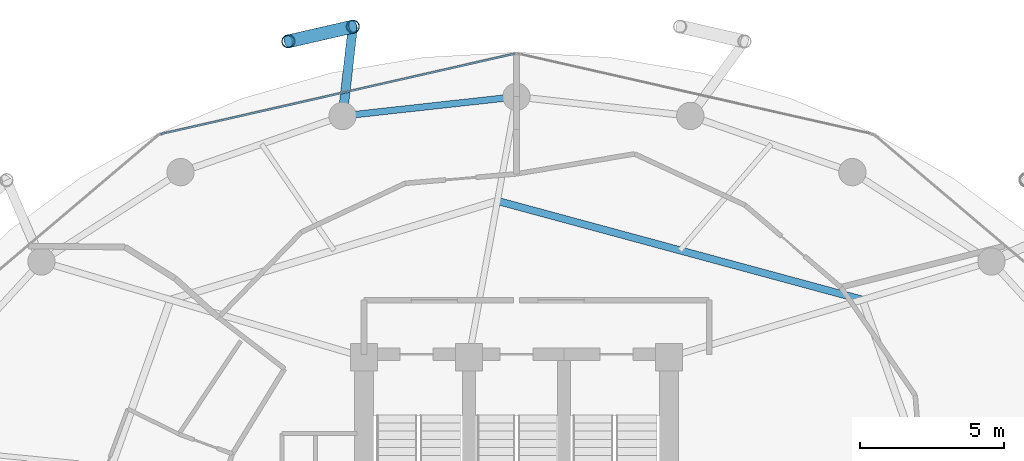
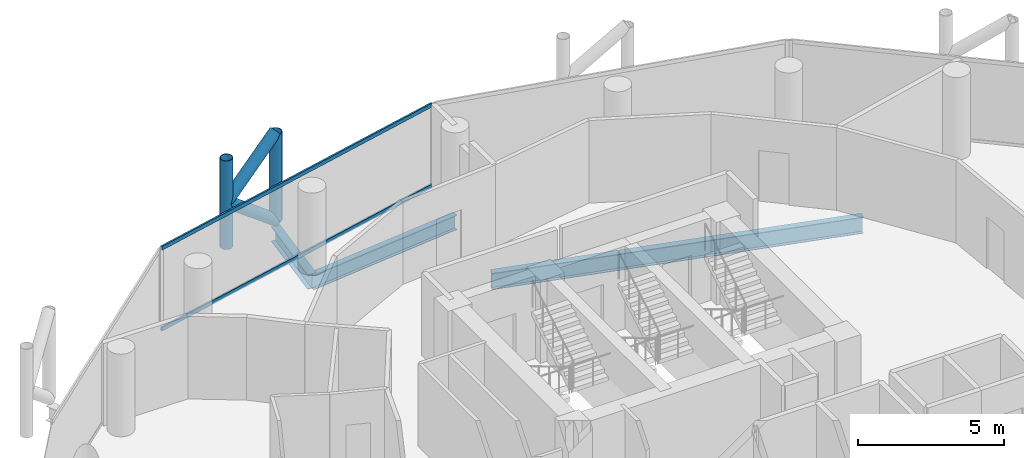
# One storey, part 16 of 26: 6 members, 3 beams, 1 element without a shape of its own.
"""IFC4 building model written with IfcOpenShell, lengths in metres."""

from ifc_helpers import new_model, si_unit, direction, frame, origin, origin_2d, place, context, subcontext, project, spatial, hollow_rectangle, hollow_circle, i_section, extrude, material, layer, layer_set, material_profile, profile_set, type_object, element, aggregate, save


model = new_model("IFC4")

# Units and contexts
model_context = context("Model", 3, precision=1e-05, world=origin(), true_north=direction((0.0, 1.0)))
body_context = subcontext(model_context, "Body", "Model", "MODEL_VIEW")
ifc_project = project(units=[si_unit("LENGTHUNIT", "METRE"), si_unit("AREAUNIT", "SQUARE_METRE"), si_unit("VOLUMEUNIT", "CUBIC_METRE"), si_unit("PLANEANGLEUNIT", "RADIAN"), si_unit("MASSUNIT", "GRAM", prefix="KILO")], contexts=[model_context])

# Site, building, storey
site_placement = place(None, origin())
site = spatial("IfcSite", under=ifc_project, at=site_placement, CompositionType="ELEMENT")
building_placement = place(site_placement, origin())
building = spatial("IfcBuilding", under=site, at=building_placement, Name="Nuhasar Tower", CompositionType="ELEMENT")
storey_placement = place(building_placement, frame((0.0, 0.0, 181.14990234375)))
storey = spatial("IfcBuildingStorey", under=building, at=storey_placement, Name="L44", CompositionType="ELEMENT", Elevation=181.14990234375)

# Beams
ifc_material_1 = material(Name="Steel S355", Category="steel")
ifc_material_profile_1 = material_profile(ifc_material_1, i_section(OverallWidth=0.25390625, OverallDepth=0.68408203125, WebThickness=0.012451171875, FlangeThickness=0.018798828125, at=origin_2d()), Name="W27X94")
ifc_profile_set_1 = profile_set([ifc_material_profile_1], Name="Steel S355")
beam_type_1 = type_object("IfcBeamType", Name="BM-INRING-W27X94", PredefinedType="BEAM", material=ifc_profile_set_1)
beam_1_placement = place(storey_placement, frame((51.027099609375, 39.2939453125, -0.591796875), z_axis=(-0.96522695776, 0.261413312618, 0.0), x_axis=(-0.261413312618, -0.96522695776, 0.0)))
element("IfcBeam", 1, at=beam_1_placement, inside=storey, type_object=beam_type_1, Name="L44 Inner Header Beam 05", PredefinedType="BEAM", context=body_context, shape_type="SweptSolid", body=[
    extrude(i_section(OverallWidth=0.25390625, OverallDepth=0.68408203125, WebThickness=0.012451171875, FlangeThickness=0.018798828125, at=origin_2d()), origin(), (0.0, 0.0, 1.0), 13.14404296875),
])
ifc_material_profile_2 = material_profile(ifc_material_1, i_section(OverallWidth=0.22998046875, OverallDepth=0.616943359375, WebThickness=0.01318359375, FlangeThickness=0.022216796875, at=origin_2d()), Name="W24X94")
ifc_profile_set_2 = profile_set([ifc_material_profile_2], Name="Steel S355")
beam_type_2 = type_object("IfcBeamType", Name="BM-RING-W24X94", PredefinedType="SPANDREL", material=ifc_profile_set_2)
beam_2_placement = place(storey_placement, frame((39.0, 46.35009765625, -0.558837890625), z_axis=(-0.993981289157, -0.109549974015, 0.0), x_axis=(0.109549974015, -0.993981289157, 0.0)))
element("IfcBeam", 2, at=beam_2_placement, inside=storey, type_object=beam_type_2, Name="L44 Perimeter Ring Spandrel 07", PredefinedType="SPANDREL", context=body_context, shape_type="SweptSolid", body=[
    extrude(i_section(OverallWidth=0.22998046875, OverallDepth=0.616943359375, WebThickness=0.01318359375, FlangeThickness=0.022216796875, at=origin_2d()), origin(), (0.0, 0.0, 1.0), 6.07958984375),
])
ifc_material_profile_3 = material_profile(ifc_material_1, i_section(OverallWidth=0.323974609375, OverallDepth=0.611083984375, WebThickness=0.0126953125, FlangeThickness=0.01904296875, at=origin_2d()), Name="W24X104")
ifc_profile_set_3 = profile_set([ifc_material_profile_3], Name="Steel S355")
beam_type_3 = type_object("IfcBeamType", Name="BM-TIE-W24X104", PredefinedType="BEAM", material=ifc_profile_set_3)
beam_3_placement = place(storey_placement, frame((32.95703125, 45.68408203125, -0.554931640625), z_axis=(0.114167639647, 0.993461499031, 0.0), x_axis=(-0.993461499031, 0.114167639647, 0.0)))
element("IfcBeam", 3, at=beam_3_placement, inside=storey, type_object=beam_type_3, Name="L44 Exoskeleton Node Tie Beam 04", PredefinedType="BEAM", context=body_context, shape_type="SweptSolid", body=[
    extrude(i_section(OverallWidth=0.323974609375, OverallDepth=0.611083984375, WebThickness=0.0126953125, FlangeThickness=0.01904296875, at=origin_2d()), origin(), (0.0, 0.0, 1.0), 3.12646484375),
])

# Curtain wall, members
ifc_material_2 = material(Name="Aluminium 6063-T6", Category="aluminium")
ifc_layer = layer(ifc_material_2, 0.199951171875)
ifc_layer_set = layer_set([ifc_layer], Name="Aluminium 6063-T6")
curtain_wall_type = type_object("IfcCurtainWallType", Name="CW-Z2-HTL", PredefinedType="NOTDEFINED", material=ifc_layer_set)
curtain_wall_placement = place(storey_placement, origin())
curtain_wall = element("IfcCurtainWall", 4, at=curtain_wall_placement, inside=storey, type_object=curtain_wall_type, Name="L44 Unitised Curtain Wall 04", PredefinedType="NOTDEFINED")
ifc_material_profile_4 = material_profile(ifc_material_2, hollow_rectangle(XDim=0.070068359375, YDim=0.159912109375, WallThickness=0.00439453125, at=origin_2d()), Name="CWT-3")
ifc_profile_set_4 = profile_set([ifc_material_profile_4], Name="Aluminium 6063-T6")
member_type_1 = type_object("IfcMemberType", Name="CW-TRN-S3", PredefinedType="USERDEFINED", material=ifc_profile_set_4)
member_1_placement = place(storey_placement, frame((38.931640625, 47.844482421875, 0.03515625), z_axis=(-0.975183434528, -0.221398439519, 0.0), x_axis=(0.221398439519, -0.975183434528, 0.0)))
member_1 = element("IfcMember", 5, at=member_1_placement, type_object=member_type_1, Name="CW-Z2 transom 1.1", ObjectType="TRANSOM", PredefinedType="USERDEFINED", context=body_context, shape_type="SweptSolid", body=[
    extrude(hollow_rectangle(XDim=0.070068359375, YDim=0.159912109375, WallThickness=0.00439453125, at=origin_2d()), origin(), (0.0, 0.0, 1.0), 12.606201171875),
])
member_2_placement = place(storey_placement, frame((38.931640625, 47.844482421875, 3.4150390625), z_axis=(-0.975183434528, -0.221398439519, 0.0), x_axis=(0.221398439519, -0.975183434528, 0.0)))
member_2 = element("IfcMember", 6, at=member_2_placement, type_object=member_type_1, Name="CW-Z2 transom 1.2", ObjectType="TRANSOM", PredefinedType="USERDEFINED", context=body_context, shape_type="SweptSolid", body=[
    extrude(hollow_rectangle(XDim=0.070068359375, YDim=0.159912109375, WallThickness=0.00439453125, at=origin_2d()), origin(), (0.0, 0.0, 1.0), 12.606201171875),
])
aggregate(curtain_wall, [member_1, member_2])

# Members
ifc_material_3 = material(Name="Steel S460", Category="steel")
ifc_material_profile_5 = material_profile(ifc_material_3, hollow_circle(Radius=0.228515625, WallThickness=0.022216796875, at=origin_2d()), Name="HSS457X22.2")
ifc_profile_set_5 = profile_set([ifc_material_profile_5], Name="Steel S460")
member_type_2 = type_object("IfcMemberType", Name="EXO-BRONZE-457", PredefinedType="BRACE", material=ifc_profile_set_5)
for number, where, z_axis, x_axis, name in (
    (7, (33.31396484375, 48.7900390625, 0.0), (0.0, 0.0, 1.0), (1.0, 0.0, 0.0), "L44 Exoskeleton Chord Column EC-04A"),
    (8, (31.072021484375, 48.27587890625, 0.0), (0.0, 0.0, 1.0), (1.0, 0.0, 0.0), "L44 Exoskeleton Chord Column EC-04B"),
):
    element("IfcMember", number, at=place(storey_placement, frame(where, z_axis=z_axis, x_axis=x_axis)), inside=storey, type_object=member_type_2, Name=name, PredefinedType="BRACE", context=body_context, shape_type="SweptSolid", body=[
        extrude(hollow_circle(Radius=0.228515625, WallThickness=0.022216796875, at=origin_2d()), origin(), (0.0, 0.0, 1.0), 3.7001953125),
    ])
for number, where, z_axis, x_axis, name in (
    (9, (33.31396484375, 48.7900390625, 0.0), (-0.759499549084, -0.174181209885, 0.626754609927), (0.223533724104, -0.974696195842, 0.0), "L44 Bronze Diagrid Brace W1-04"),
    (10, (31.072021484375, 48.27587890625, 1.85009765625), (0.759499549084, 0.174181209885, 0.626754609927), (-0.223533724104, 0.974696195842, 0.0), "L44 Bronze Diagrid Brace W2-04"),
):
    element("IfcMember", number, at=place(storey_placement, frame(where, z_axis=z_axis, x_axis=x_axis)), inside=storey, type_object=member_type_2, Name=name, PredefinedType="BRACE", context=body_context, shape_type="SweptSolid", body=[
        extrude(hollow_circle(Radius=0.228515625, WallThickness=0.022216796875, at=origin_2d()), origin(), (0.0, 0.0, 1.0), 2.951904296875),
    ])

save(model, "model.ifc")
